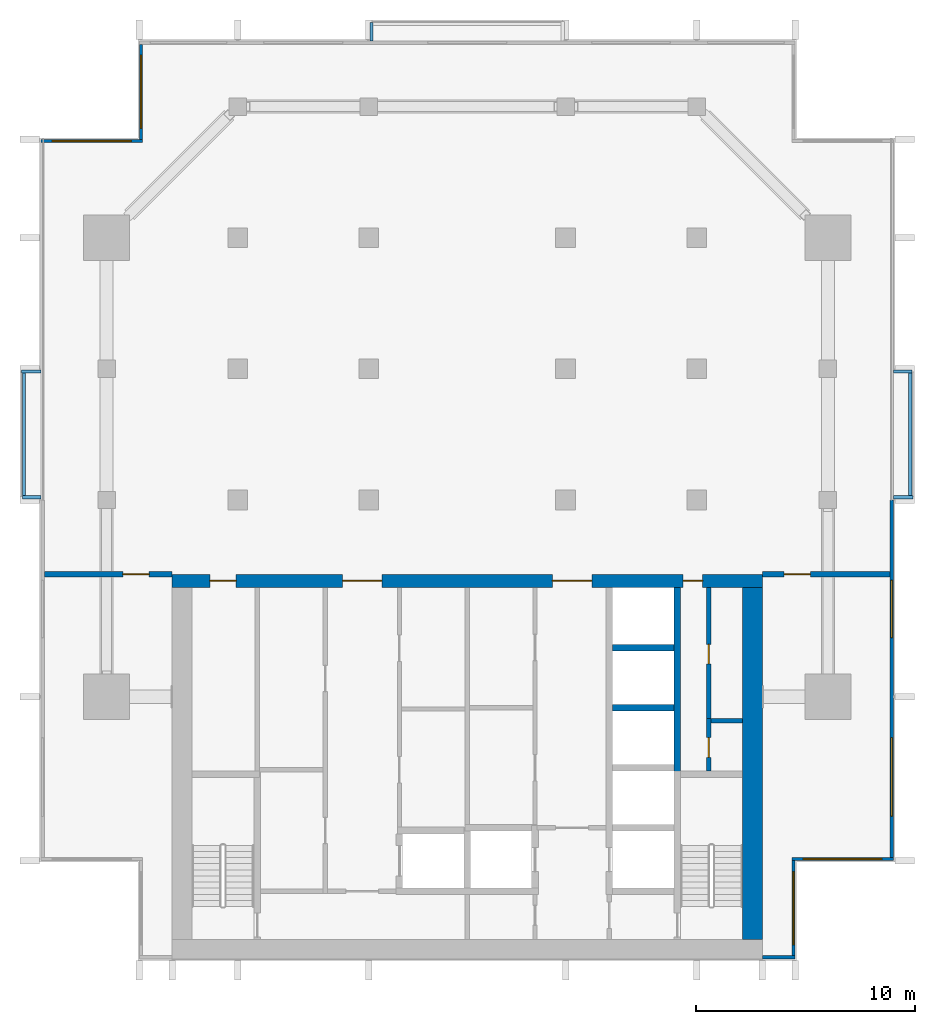
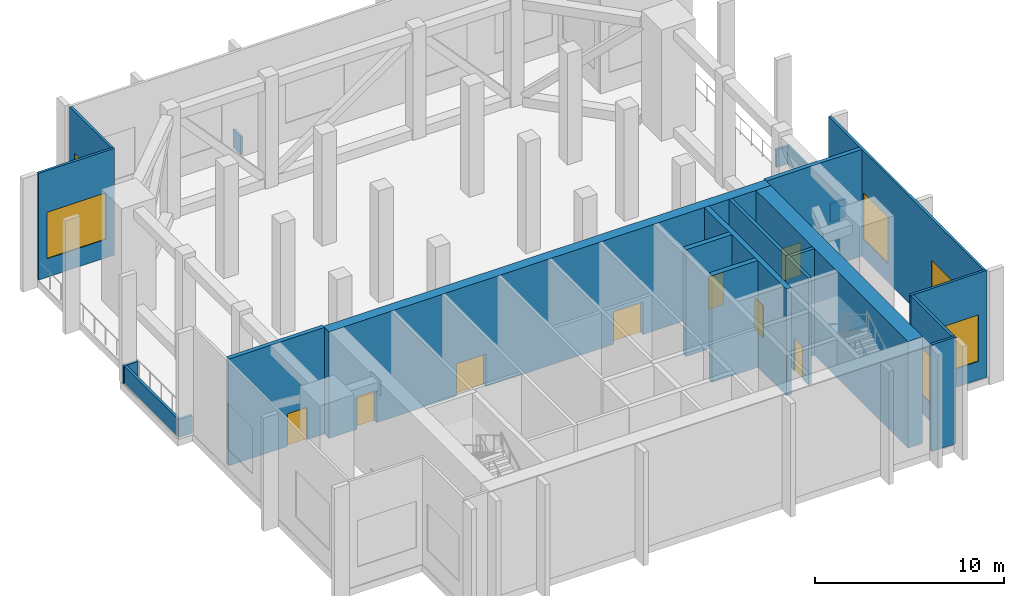
# One storey, part 3 of 9: 23 walls, 8 doors, 6 windows, 14 openings.
"""IFC4 building model written with IfcOpenShell, lengths in metres."""

from ifc_helpers import new_model, si_unit, direction, frame, frame_2d, origin, place, context, subcontext, project, spatial, rectangle, extrude, material, layer, layer_set, type_object, element, fill, save


model = new_model("IFC4")

# Units and contexts
model_context = context("Model", 3, precision=1e-05, world=origin(), true_north=direction((0.0, 1.0)))
body_context = subcontext(model_context, "Body", "Model", "MODEL_VIEW")
ifc_project = project(units=[si_unit("LENGTHUNIT", "METRE"), si_unit("AREAUNIT", "SQUARE_METRE"), si_unit("VOLUMEUNIT", "CUBIC_METRE"), si_unit("PLANEANGLEUNIT", "RADIAN"), si_unit("MASSUNIT", "GRAM", prefix="KILO")], contexts=[model_context])

# Site, building, storey
site_placement = place(None, origin())
site = spatial("IfcSite", under=ifc_project, at=site_placement, CompositionType="ELEMENT")
building_placement = place(site_placement, origin())
building = spatial("IfcBuilding", under=site, at=building_placement, Name="Finial Court Residences", CompositionType="ELEMENT")
storey_placement = place(building_placement, frame((0.0, 0.0, 248.300048828125)))
storey = spatial("IfcBuildingStorey", under=building, at=storey_placement, Name="L63", CompositionType="ELEMENT", Elevation=248.300048828125)

# Wall, openings, doors
ifc_material_1 = material(Name="Concrete C60/75", Category="concrete")
ifc_layer_1 = layer(ifc_material_1, 0.60009765625)
ifc_layer_set_1 = layer_set([ifc_layer_1], Name="Core outer wall 600 Concrete C60/75")
wall_type_1 = type_object("IfcWallType", Name="Core outer wall 600 Concrete C60/75", PredefinedType="SHEAR", material=ifc_layer_set_1)
wall_1_placement = place(storey_placement, frame((-13.5, -8.199951171875, 0.0), z_axis=(0.0, 0.0, 1.0), x_axis=(1.0, 0.0, 0.0)))
wall_1 = element("IfcWall", 1, at=wall_1_placement, inside=storey, type_object=wall_type_1, Name="Core outer wall L63-02", PredefinedType="SHEAR", context=body_context, shape_type="SweptSolid", body=[
    extrude(rectangle(XDim=27.0, YDim=0.60009765625, at=frame_2d((13.5, 0.0))), origin(), (0.0, 0.0, 1.0), 6.89990234375),
])
opening_1_placement = place(wall_1_placement, frame((7.800048828125, 0.0, 0.0)))
opening_1 = element("IfcOpeningElement", 2, at=opening_1_placement, cuts=wall_1, Name="Opening L63-C03", PredefinedType="OPENING", context=body_context, shape_type="SweptSolid", body=[
    extrude(rectangle(XDim=1.800048828125, YDim=2.10009765625, at=frame_2d((0.89990234375, 1.050048828125))), frame((0.0, 0.31005859375, 0.0), z_axis=(0.0, -1.0, 0.0), x_axis=(1.0, 0.0, 0.0)), (0.0, 0.0, 1.0), 0.6201171875),
])
opening_2_placement = place(wall_1_placement, frame((17.39990234375, 0.0, 0.0)))
opening_2 = element("IfcOpeningElement", 3, at=opening_2_placement, cuts=wall_1, Name="Opening L63-C04", PredefinedType="OPENING", context=body_context, shape_type="SweptSolid", body=[
    extrude(rectangle(XDim=1.800048828125, YDim=2.10009765625, at=frame_2d((0.89990234375, 1.050048828125))), frame((0.0, 0.31005859375, 0.0), z_axis=(0.0, -1.0, 0.0), x_axis=(1.0, 0.0, 0.0)), (0.0, 0.0, 1.0), 0.6201171875),
])
opening_3_placement = place(wall_1_placement, frame((1.72509765625, 0.0, 0.0)))
opening_3 = element("IfcOpeningElement", 4, at=opening_3_placement, cuts=wall_1, Name="Opening L63-C13", PredefinedType="OPENING", context=body_context, shape_type="SweptSolid", body=[
    extrude(rectangle(XDim=1.199951171875, YDim=2.10009765625, at=frame_2d((0.60009765625, 1.050048828125))), frame((0.0, 0.31005859375, 0.0), z_axis=(0.0, -1.0, 0.0), x_axis=(1.0, 0.0, 0.0)), (0.0, 0.0, 1.0), 0.6201171875),
])
opening_4_placement = place(wall_1_placement, frame((23.375, 0.0, 0.0)))
opening_4 = element("IfcOpeningElement", 5, at=opening_4_placement, cuts=wall_1, Name="Opening L63-C14", PredefinedType="OPENING", context=body_context, shape_type="SweptSolid", body=[
    extrude(rectangle(XDim=0.89990234375, YDim=2.10009765625, at=frame_2d((0.449951171875, 1.050048828125))), frame((0.0, 0.31005859375, 0.0), z_axis=(0.0, -1.0, 0.0), x_axis=(1.0, 0.0, 0.0)), (0.0, 0.0, 1.0), 0.6201171875),
])
ifc_material_2 = material(Name="Steel fire door", Category="steel")
door_type_1 = type_object("IfcDoorType", Name="Lift lobby door 1800 x 2100 EI 60", OperationType="DOUBLE_DOOR_SINGLE_SWING", PredefinedType="DOOR", material=ifc_material_2)
door_1_placement = place(opening_1_placement, origin())
door_1 = element("IfcDoor", 6, at=door_1_placement, inside=storey, type_object=door_type_1, Name="Lift lobby door L63-C03", OperationType="DOUBLE_DOOR_SINGLE_SWING", OverallHeight=2.10009765625, OverallWidth=1.800048828125, PredefinedType="DOOR", context=body_context, shape_type="SweptSolid", body=[
    extrude(rectangle(XDim=1.800048828125, YDim=2.10009765625, at=frame_2d((0.89990234375, 1.050048828125))), frame((0.0, 0.02490234375, 0.0), z_axis=(0.0, -1.0, 0.0), x_axis=(1.0, 0.0, 0.0)), (0.0, 0.0, 1.0), 0.050048828125),
])
fill(opening_1, door_1)
door_2_placement = place(opening_2_placement, origin())
door_2 = element("IfcDoor", 7, at=door_2_placement, inside=storey, type_object=door_type_1, Name="Lift lobby door L63-C04", OperationType="DOUBLE_DOOR_SINGLE_SWING", OverallHeight=2.10009765625, OverallWidth=1.800048828125, PredefinedType="DOOR", context=body_context, shape_type="SweptSolid", body=[
    extrude(rectangle(XDim=1.800048828125, YDim=2.10009765625, at=frame_2d((0.89990234375, 1.050048828125))), frame((0.0, 0.02490234375, 0.0), z_axis=(0.0, -1.0, 0.0), x_axis=(1.0, 0.0, 0.0)), (0.0, 0.0, 1.0), 0.050048828125),
])
fill(opening_2, door_2)
door_type_2 = type_object("IfcDoorType", Name="Riser room door 1200 x 2100 EI 90", OperationType="NOTDEFINED", PredefinedType="DOOR", material=ifc_material_2)
door_3_placement = place(opening_3_placement, origin())
door_3 = element("IfcDoor", 8, at=door_3_placement, inside=storey, type_object=door_type_2, Name="Riser room door L63-C13", OperationType="SINGLE_SWING_LEFT", OverallHeight=2.10009765625, OverallWidth=1.199951171875, PredefinedType="DOOR", context=body_context, shape_type="SweptSolid", body=[
    extrude(rectangle(XDim=1.199951171875, YDim=2.10009765625, at=frame_2d((0.60009765625, 1.050048828125))), frame((0.0, 0.02490234375, 0.0), z_axis=(0.0, -1.0, 0.0), x_axis=(1.0, 0.0, 0.0)), (0.0, 0.0, 1.0), 0.050048828125),
])
fill(opening_3, door_3)
door_type_3 = type_object("IfcDoorType", Name="Riser room door 900 x 2100 EI 90", OperationType="NOTDEFINED", PredefinedType="DOOR", material=ifc_material_2)
door_4_placement = place(opening_4_placement, origin())
door_4 = element("IfcDoor", 9, at=door_4_placement, inside=storey, type_object=door_type_3, Name="Riser room door L63-C14", OperationType="SINGLE_SWING_LEFT", OverallHeight=2.10009765625, OverallWidth=0.89990234375, PredefinedType="DOOR", context=body_context, shape_type="SweptSolid", body=[
    extrude(rectangle(XDim=0.89990234375, YDim=2.10009765625, at=frame_2d((0.449951171875, 1.050048828125))), frame((0.0, 0.02490234375, 0.0), z_axis=(0.0, -1.0, 0.0), x_axis=(1.0, 0.0, 0.0)), (0.0, 0.0, 1.0), 0.050048828125),
])
fill(opening_4, door_4)

# Walls
ifc_layer_2 = layer(ifc_material_1, 0.89990234375)
ifc_layer_set_2 = layer_set([ifc_layer_2], Name="Core outer wall 900 Concrete C60/75")
wall_type_2 = type_object("IfcWallType", Name="Core outer wall 900 Concrete C60/75", PredefinedType="SHEAR", material=ifc_layer_set_2)
wall_2_placement = place(storey_placement, frame((13.050048828125, -24.60009765625, 0.0), z_axis=(0.0, 0.0, 1.0), x_axis=(0.0, 1.0, 0.0)))
element("IfcWall", 10, at=wall_2_placement, inside=storey, type_object=wall_type_2, Name="Core outer wall L63-04", PredefinedType="SHEAR", context=body_context, shape_type="SweptSolid", body=[
    extrude(rectangle(XDim=16.10009765625, YDim=0.89990234375, at=frame_2d((8.050048828125, 0.0))), origin(), (0.0, 0.0, 1.0), 6.89990234375),
])
ifc_material_3 = material(Name="Concrete C35/45", Category="concrete")
ifc_layer_3 = layer(ifc_material_3, 0.14990234375)
ifc_layer_set_3 = layer_set([ifc_layer_3], Name="Ledge parapet, Concrete C35/45 150")
wall_type_3 = type_object("IfcWallType", Name="Ledge parapet, Concrete C35/45 150", PredefinedType="PARAPET", material=ifc_layer_set_3)
wall_3_placement = place(storey_placement, frame((-20.39990234375, 1.375, 0.0), z_axis=(0.0, 0.0, 1.0), x_axis=(1.0, 0.0, 0.0)))
element("IfcWall", 11, at=wall_3_placement, inside=storey, type_object=wall_type_3, Name="E-L63-LED1-P1", PredefinedType="PARAPET", context=body_context, shape_type="SweptSolid", body=[
    extrude(rectangle(XDim=0.889892578125, YDim=0.14990234375, at=frame_2d((0.44482421875, 0.0))), origin(), (0.0, 0.0, 1.0), 1.14990234375),
])
wall_4_placement = place(storey_placement, frame((-19.510009765625, -4.375, 0.0), z_axis=(0.0, 0.0, 1.0), x_axis=(-1.0, 0.0, 0.0)))
element("IfcWall", 12, at=wall_4_placement, inside=storey, type_object=wall_type_3, Name="E-L63-LED1-P2", PredefinedType="PARAPET", context=body_context, shape_type="SweptSolid", body=[
    extrude(rectangle(XDim=0.840087890625, YDim=0.14990234375, at=frame_2d((0.419921875, 0.0))), origin(), (0.0, 0.0, 1.0), 1.14990234375),
])
wall_5_placement = place(storey_placement, frame((-20.27490234375, -4.300048828125, 0.0), z_axis=(0.0, 0.0, 1.0), x_axis=(0.0, 1.0, 0.0)))
element("IfcWall", 13, at=wall_5_placement, inside=storey, type_object=wall_type_3, Name="E-L63-LED1-P3", PredefinedType="PARAPET", context=body_context, shape_type="SweptSolid", body=[
    extrude(rectangle(XDim=5.800048828125, YDim=0.14990234375, at=frame_2d((2.89990234375, 0.0))), origin(), (0.0, 0.0, 1.0), 1.14990234375),
])
wall_6_placement = place(storey_placement, frame((-4.375, 16.510009765625, 0.0), z_axis=(0.0, 0.0, 1.0), x_axis=(0.0, 1.0, 0.0)))
element("IfcWall", 14, at=wall_6_placement, inside=storey, type_object=wall_type_3, Name="E-L63-LED2-P2", PredefinedType="PARAPET", context=body_context, shape_type="SweptSolid", body=[
    extrude(rectangle(XDim=0.840087890625, YDim=0.14990234375, at=frame_2d((0.419921875, 0.0))), origin(), (0.0, 0.0, 1.0), 1.14990234375),
])
wall_7_placement = place(storey_placement, frame((20.39990234375, -4.375, 0.0), z_axis=(0.0, 0.0, 1.0), x_axis=(-1.0, 0.0, 0.0)))
element("IfcWall", 15, at=wall_7_placement, inside=storey, type_object=wall_type_3, Name="E-L63-LED3-P1", PredefinedType="PARAPET", context=body_context, shape_type="SweptSolid", body=[
    extrude(rectangle(XDim=0.889892578125, YDim=0.14990234375, at=frame_2d((0.44482421875, 0.0))), origin(), (0.0, 0.0, 1.0), 1.14990234375),
])
wall_8_placement = place(storey_placement, frame((19.510009765625, 1.375, 0.0), z_axis=(0.0, 0.0, 1.0), x_axis=(1.0, 0.0, 0.0)))
element("IfcWall", 16, at=wall_8_placement, inside=storey, type_object=wall_type_3, Name="E-L63-LED3-P2", PredefinedType="PARAPET", context=body_context, shape_type="SweptSolid", body=[
    extrude(rectangle(XDim=0.840087890625, YDim=0.14990234375, at=frame_2d((0.419921875, 0.0))), origin(), (0.0, 0.0, 1.0), 1.14990234375),
])
wall_9_placement = place(storey_placement, frame((20.27490234375, 1.300048828125, 0.0), z_axis=(0.0, 0.0, 1.0), x_axis=(0.0, -1.0, 0.0)))
element("IfcWall", 17, at=wall_9_placement, inside=storey, type_object=wall_type_3, Name="E-L63-LED3-P3", PredefinedType="PARAPET", context=body_context, shape_type="SweptSolid", body=[
    extrude(rectangle(XDim=5.800048828125, YDim=0.14990234375, at=frame_2d((2.89990234375, 0.0))), origin(), (0.0, 0.0, 1.0), 1.14990234375),
])
ifc_layer_4 = layer(ifc_material_1, 0.300048828125)
ifc_layer_set_4 = layer_set([ifc_layer_4], Name="Lift shaft and stair wall 300 Concrete C60/75")
wall_type_4 = type_object("IfcWallType", Name="Lift shaft and stair wall 300 Concrete C60/75", PredefinedType="SHEAR", material=ifc_layer_set_4)
for number, where, z_axis, x_axis, name in (
    (18, (6.64990234375, -14.0, 0.0), (0.0, 0.0, 1.0), (1.0, 0.0, 0.0), "Core wall L63-16"),
    (19, (6.64990234375, -11.25, 0.0), (0.0, 0.0, 1.0), (1.0, 0.0, 0.0), "Core wall L63-17"),
):
    element("IfcWall", number, at=place(storey_placement, frame(where, z_axis=z_axis, x_axis=x_axis)), inside=storey, type_object=wall_type_4, Name=name, PredefinedType="SHEAR", context=body_context, shape_type="SweptSolid", body=[
        extrude(rectangle(XDim=2.800048828125, YDim=0.300048828125, at=frame_2d((1.39990234375, 0.0))), origin(), (0.0, 0.0, 1.0), 6.89990234375),
    ])
wall_10_placement = place(storey_placement, frame((9.60009765625, -17.199951171875, 0.0), z_axis=(0.0, 0.0, 1.0), x_axis=(0.0, 1.0, 0.0)))
element("IfcWall", 20, at=wall_10_placement, inside=storey, type_object=wall_type_4, Name="Core wall L63-32", PredefinedType="SHEAR", context=body_context, shape_type="SweptSolid", body=[
    extrude(rectangle(XDim=8.699951171875, YDim=0.300048828125, at=frame_2d((4.35009765625, 0.0))), origin(), (0.0, 0.0, 1.0), 6.89990234375),
])

# Wall, opening, door
ifc_material_4 = material(Name="Fire-rated board")
ifc_layer_5 = layer(ifc_material_4, 0.050048828125)
ifc_material_5 = material(Name="Mineral wool in double frame")
ifc_layer_6 = layer(ifc_material_5, 0.14990234375)
ifc_layer_7 = layer(ifc_material_4, 0.050048828125)
ifc_layer_set_5 = layer_set([ifc_layer_5, ifc_layer_6, ifc_layer_7], Name="Plant room wall 250, 2 hour")
wall_type_5 = type_object("IfcWallType", Name="Plant room wall 250, 2 hour", PredefinedType="PARTITIONING", material=ifc_layer_set_5)
wall_11_placement = place(storey_placement, frame((-19.35009765625, -7.89990234375, 0.0), z_axis=(0.0, 0.0, 1.0), x_axis=(1.0, 0.0, 0.0)))
wall_11 = element("IfcWall", 21, at=wall_11_placement, inside=storey, type_object=wall_type_5, Name="Partition L63-000", PredefinedType="PARTITIONING", context=body_context, shape_type="SweptSolid", body=[
    extrude(rectangle(XDim=5.85009765625, YDim=0.25, at=frame_2d((2.925048828125, 0.0))), origin(), (0.0, 0.0, 1.0), 6.89990234375),
])
opening_5_placement = place(wall_11_placement, frame((3.60009765625, 0.0, 0.0)))
opening_5 = element("IfcOpeningElement", 22, at=opening_5_placement, cuts=wall_11, Name="Opening L63-D001", PredefinedType="OPENING", context=body_context, shape_type="SweptSolid", body=[
    extrude(rectangle(XDim=1.199951171875, YDim=2.10009765625, at=frame_2d((0.60009765625, 1.050048828125))), frame((0.0, 0.135009765625, 0.0), z_axis=(0.0, -1.0, 0.0), x_axis=(1.0, 0.0, 0.0)), (0.0, 0.0, 1.0), 0.27001953125),
])
ifc_material_6 = material(Name="Timber door leaf in hollow metal frame", Category="wood")
door_type_4 = type_object("IfcDoorType", Name="Fire door set 1200 x 2100, 60 minutes", OperationType="SINGLE_SWING_LEFT", PredefinedType="DOOR", material=ifc_material_6)
door_5_placement = place(opening_5_placement, origin())
door_5 = element("IfcDoor", 23, at=door_5_placement, inside=storey, type_object=door_type_4, Name="Door L63-D001", OperationType="SINGLE_SWING_RIGHT", OverallHeight=2.10009765625, OverallWidth=1.199951171875, PredefinedType="DOOR", context=body_context, shape_type="SweptSolid", body=[
    extrude(rectangle(XDim=1.199951171875, YDim=2.10009765625, at=frame_2d((0.60009765625, 1.050048828125))), frame((0.0, 0.02490234375, 0.0), z_axis=(0.0, -1.0, 0.0), x_axis=(1.0, 0.0, 0.0)), (0.0, 0.0, 1.0), 0.050048828125),
])
fill(opening_5, door_5)

wall_12_placement = place(storey_placement, frame((13.5, -7.89990234375, 0.0), z_axis=(0.0, 0.0, 1.0), x_axis=(1.0, 0.0, 0.0)))
wall_12 = element("IfcWall", 24, at=wall_12_placement, inside=storey, type_object=wall_type_5, Name="Partition L63-001", PredefinedType="PARTITIONING", context=body_context, shape_type="SweptSolid", body=[
    extrude(rectangle(XDim=5.85009765625, YDim=0.25, at=frame_2d((2.925048828125, 0.0))), origin(), (0.0, 0.0, 1.0), 6.89990234375),
])
opening_6_placement = place(wall_12_placement, frame((1.0, 0.0, 0.0)))
opening_6 = element("IfcOpeningElement", 25, at=opening_6_placement, cuts=wall_12, Name="Opening L63-D002", PredefinedType="OPENING", context=body_context, shape_type="SweptSolid", body=[
    extrude(rectangle(XDim=1.199951171875, YDim=2.10009765625, at=frame_2d((0.60009765625, 1.050048828125))), frame((0.0, 0.135009765625, 0.0), z_axis=(0.0, -1.0, 0.0), x_axis=(1.0, 0.0, 0.0)), (0.0, 0.0, 1.0), 0.27001953125),
])
door_6_placement = place(opening_6_placement, origin())
door_6 = element("IfcDoor", 26, at=door_6_placement, inside=storey, type_object=door_type_4, Name="Door L63-D002", OperationType="SINGLE_SWING_LEFT", OverallHeight=2.10009765625, OverallWidth=1.199951171875, PredefinedType="DOOR", context=body_context, shape_type="SweptSolid", body=[
    extrude(rectangle(XDim=1.199951171875, YDim=2.10009765625, at=frame_2d((0.60009765625, 1.050048828125))), frame((0.0, 0.02490234375, 0.0), z_axis=(0.0, -1.0, 0.0), x_axis=(1.0, 0.0, 0.0)), (0.0, 0.0, 1.0), 0.050048828125),
])
fill(opening_6, door_6)

# Wall, openings, windows
ifc_material_7 = material(Name="Natural limestone", Category="masonry")
ifc_layer_8 = layer(ifc_material_7, 0.14990234375)
ifc_layer_set_6 = layer_set([ifc_layer_8], Name="Plant storey wall, limestone clad 150")
wall_type_6 = type_object("IfcWallType", Name="Plant storey wall, limestone clad 150", PredefinedType="SOLIDWALL", material=ifc_layer_set_6)
wall_13_placement = place(storey_placement, frame((19.425048828125, -4.5, 0.0), z_axis=(0.0, 0.0, 1.0), x_axis=(0.0, -1.0, 0.0)))
wall_13 = element("IfcWall", 27, at=wall_13_placement, inside=storey, type_object=wall_type_6, Name="E-L63-PWE2", PredefinedType="SOLIDWALL", context=body_context, shape_type="SweptSolid", body=[
    extrude(rectangle(XDim=16.35009765625, YDim=0.14990234375, at=frame_2d((8.175048828125, 0.0))), origin(), (0.0, 0.0, 1.0), 6.89990234375),
])
opening_7_placement = place(wall_13_placement, frame((10.875, 0.0, 1.199951171875)))
opening_7 = element("IfcOpeningElement", 28, at=opening_7_placement, cuts=wall_13, Name="Opening WE63-06", PredefinedType="OPENING", context=body_context, shape_type="SweptSolid", body=[
    extrude(rectangle(XDim=3.60009765625, YDim=3.0, at=frame_2d((1.800048828125, 1.5))), frame((0.0, 0.0849609375, 0.0), z_axis=(0.0, -1.0, 0.0), x_axis=(1.0, 0.0, 0.0)), (0.0, 0.0, 1.0), 0.169921875),
])
opening_8_placement = place(wall_13_placement, frame((3.675048828125, 0.0, 1.199951171875)))
opening_8 = element("IfcOpeningElement", 29, at=opening_8_placement, cuts=wall_13, Name="Opening WE63-07", PredefinedType="OPENING", context=body_context, shape_type="SweptSolid", body=[
    extrude(rectangle(XDim=2.625, YDim=3.0, at=frame_2d((1.3125, 1.5))), frame((0.0, 0.0849609375, 0.0), z_axis=(0.0, -1.0, 0.0), x_axis=(1.0, 0.0, 0.0)), (0.0, 0.0, 1.0), 0.169921875),
])
ifc_material_8 = material(Name="Bronze anodised aluminium", Category="aluminium")
window_type_1 = type_object("IfcWindowType", Name="Plant louvre 2625 x 3000", PartitioningType="SINGLE_PANEL", PredefinedType="WINDOW", material=ifc_material_8)
window_1_placement = place(opening_8_placement, origin())
window_1 = element("IfcWindow", 30, at=window_1_placement, inside=storey, type_object=window_type_1, Name="E-L63-PWE2-W2", OverallHeight=3.0, OverallWidth=2.625, PartitioningType="SINGLE_PANEL", PredefinedType="WINDOW", context=body_context, shape_type="SweptSolid", body=[
    extrude(rectangle(XDim=2.625, YDim=3.0, at=frame_2d((1.3125, 1.5))), frame((0.0, 0.030029296875, 0.0), z_axis=(0.0, -1.0, 0.0), x_axis=(1.0, 0.0, 0.0)), (0.0, 0.0, 1.0), 0.06005859375),
])
fill(opening_8, window_1)
window_type_2 = type_object("IfcWindowType", Name="Plant louvre 3600 x 3000", PartitioningType="SINGLE_PANEL", PredefinedType="WINDOW", material=ifc_material_8)
window_2_placement = place(opening_7_placement, origin())
window_2 = element("IfcWindow", 31, at=window_2_placement, inside=storey, type_object=window_type_2, Name="E-L63-PWE2-W1", OverallHeight=3.0, OverallWidth=3.60009765625, PartitioningType="SINGLE_PANEL", PredefinedType="WINDOW", context=body_context, shape_type="SweptSolid", body=[
    extrude(rectangle(XDim=3.60009765625, YDim=3.0, at=frame_2d((1.800048828125, 1.5))), frame((0.0, 0.030029296875, 0.0), z_axis=(0.0, -1.0, 0.0), x_axis=(1.0, 0.0, 0.0)), (0.0, 0.0, 1.0), 0.06005859375),
])
fill(opening_7, window_2)

# Wall
wall_14_placement = place(storey_placement, frame((15.0, -25.425048828125, 0.0), z_axis=(0.0, 0.0, 1.0), x_axis=(-1.0, 0.0, 0.0)))
element("IfcWall", 32, at=wall_14_placement, inside=storey, type_object=wall_type_6, Name="E-L63-PWS4", PredefinedType="SOLIDWALL", context=body_context, shape_type="SweptSolid", body=[
    extrude(rectangle(XDim=1.5, YDim=0.14990234375, at=frame_2d((0.75, 0.0))), origin(), (0.0, 0.0, 1.0), 6.89990234375),
])

# Wall, opening, window
wall_15_placement = place(storey_placement, frame((14.925048828125, -21.0, 0.0), z_axis=(0.0, 0.0, 1.0), x_axis=(0.0, -1.0, 0.0)))
wall_15 = element("IfcWall", 33, at=wall_15_placement, inside=storey, type_object=wall_type_6, Name="E-L63-PWE8", PredefinedType="SOLIDWALL", context=body_context, shape_type="SweptSolid", body=[
    extrude(rectangle(XDim=4.35009765625, YDim=0.14990234375, at=frame_2d((2.175048828125, 0.0))), origin(), (0.0, 0.0, 1.0), 6.89990234375),
])
opening_9_placement = place(wall_15_placement, frame((0.5, 0.0, 1.199951171875)))
opening_9 = element("IfcOpeningElement", 34, at=opening_9_placement, cuts=wall_15, Name="Opening WE63-12", PredefinedType="OPENING", context=body_context, shape_type="SweptSolid", body=[
    extrude(rectangle(XDim=3.35009765625, YDim=3.0, at=frame_2d((1.675048828125, 1.5))), frame((0.0, 0.0849609375, 0.0), z_axis=(0.0, -1.0, 0.0), x_axis=(1.0, 0.0, 0.0)), (0.0, 0.0, 1.0), 0.169921875),
])
window_type_3 = type_object("IfcWindowType", Name="Plant louvre 3350 x 3000", PartitioningType="SINGLE_PANEL", PredefinedType="WINDOW", material=ifc_material_8)
window_3_placement = place(opening_9_placement, origin())
window_3 = element("IfcWindow", 35, at=window_3_placement, inside=storey, type_object=window_type_3, Name="E-L63-PWE8-W1", OverallHeight=3.0, OverallWidth=3.35009765625, PartitioningType="SINGLE_PANEL", PredefinedType="WINDOW", context=body_context, shape_type="SweptSolid", body=[
    extrude(rectangle(XDim=3.35009765625, YDim=3.0, at=frame_2d((1.675048828125, 1.5))), frame((0.0, 0.030029296875, 0.0), z_axis=(0.0, -1.0, 0.0), x_axis=(1.0, 0.0, 0.0)), (0.0, 0.0, 1.0), 0.06005859375),
])
fill(opening_9, window_3)

wall_16_placement = place(storey_placement, frame((19.5, -20.925048828125, 0.0), z_axis=(0.0, 0.0, 1.0), x_axis=(-1.0, 0.0, 0.0)))
wall_16 = element("IfcWall", 36, at=wall_16_placement, inside=storey, type_object=wall_type_6, Name="E-L63-PWS9", PredefinedType="SOLIDWALL", context=body_context, shape_type="SweptSolid", body=[
    extrude(rectangle(XDim=4.64990234375, YDim=0.14990234375, at=frame_2d((2.324951171875, 0.0))), origin(), (0.0, 0.0, 1.0), 6.89990234375),
])
opening_10_placement = place(wall_16_placement, frame((0.52490234375, 0.0, 1.199951171875)))
opening_10 = element("IfcOpeningElement", 37, at=opening_10_placement, cuts=wall_16, Name="Opening WE63-13", PredefinedType="OPENING", context=body_context, shape_type="SweptSolid", body=[
    extrude(rectangle(XDim=3.60009765625, YDim=3.0, at=frame_2d((1.800048828125, 1.5))), frame((0.0, 0.0849609375, 0.0), z_axis=(0.0, -1.0, 0.0), x_axis=(1.0, 0.0, 0.0)), (0.0, 0.0, 1.0), 0.169921875),
])
window_4_placement = place(opening_10_placement, origin())
window_4 = element("IfcWindow", 38, at=window_4_placement, inside=storey, type_object=window_type_2, Name="E-L63-PWS9-W1", OverallHeight=3.0, OverallWidth=3.60009765625, PartitioningType="SINGLE_PANEL", PredefinedType="WINDOW", context=body_context, shape_type="SweptSolid", body=[
    extrude(rectangle(XDim=3.60009765625, YDim=3.0, at=frame_2d((1.800048828125, 1.5))), frame((0.0, 0.030029296875, 0.0), z_axis=(0.0, -1.0, 0.0), x_axis=(1.0, 0.0, 0.0)), (0.0, 0.0, 1.0), 0.06005859375),
])
fill(opening_10, window_4)

wall_17_placement = place(storey_placement, frame((-14.925048828125, 12.0, 0.0), z_axis=(0.0, 0.0, 1.0), x_axis=(0.0, 1.0, 0.0)))
wall_17 = element("IfcWall", 39, at=wall_17_placement, inside=storey, type_object=wall_type_6, Name="E-L63-PWW10", PredefinedType="SOLIDWALL", context=body_context, shape_type="SweptSolid", body=[
    extrude(rectangle(XDim=4.35009765625, YDim=0.14990234375, at=frame_2d((2.175048828125, 0.0))), origin(), (0.0, 0.0, 1.0), 6.89990234375),
])
opening_11_placement = place(wall_17_placement, frame((0.5, 0.0, 1.199951171875)))
opening_11 = element("IfcOpeningElement", 40, at=opening_11_placement, cuts=wall_17, Name="Opening WE63-14", PredefinedType="OPENING", context=body_context, shape_type="SweptSolid", body=[
    extrude(rectangle(XDim=3.35009765625, YDim=3.0, at=frame_2d((1.675048828125, 1.5))), frame((0.0, 0.0849609375, 0.0), z_axis=(0.0, -1.0, 0.0), x_axis=(1.0, 0.0, 0.0)), (0.0, 0.0, 1.0), 0.169921875),
])
window_5_placement = place(opening_11_placement, origin())
window_5 = element("IfcWindow", 41, at=window_5_placement, inside=storey, type_object=window_type_3, Name="E-L63-PWW10-W1", OverallHeight=3.0, OverallWidth=3.35009765625, PartitioningType="SINGLE_PANEL", PredefinedType="WINDOW", context=body_context, shape_type="SweptSolid", body=[
    extrude(rectangle(XDim=3.35009765625, YDim=3.0, at=frame_2d((1.675048828125, 1.5))), frame((0.0, 0.030029296875, 0.0), z_axis=(0.0, -1.0, 0.0), x_axis=(1.0, 0.0, 0.0)), (0.0, 0.0, 1.0), 0.06005859375),
])
fill(opening_11, window_5)

wall_18_placement = place(storey_placement, frame((-19.5, 11.925048828125, 0.0), z_axis=(0.0, 0.0, 1.0), x_axis=(1.0, 0.0, 0.0)))
wall_18 = element("IfcWall", 42, at=wall_18_placement, inside=storey, type_object=wall_type_6, Name="E-L63-PWN11", PredefinedType="SOLIDWALL", context=body_context, shape_type="SweptSolid", body=[
    extrude(rectangle(XDim=4.64990234375, YDim=0.14990234375, at=frame_2d((2.324951171875, 0.0))), origin(), (0.0, 0.0, 1.0), 6.89990234375),
])
opening_12_placement = place(wall_18_placement, frame((0.52490234375, 0.0, 1.199951171875)))
opening_12 = element("IfcOpeningElement", 43, at=opening_12_placement, cuts=wall_18, Name="Opening WE63-15", PredefinedType="OPENING", context=body_context, shape_type="SweptSolid", body=[
    extrude(rectangle(XDim=3.60009765625, YDim=3.0, at=frame_2d((1.800048828125, 1.5))), frame((0.0, 0.0849609375, 0.0), z_axis=(0.0, -1.0, 0.0), x_axis=(1.0, 0.0, 0.0)), (0.0, 0.0, 1.0), 0.169921875),
])
window_6_placement = place(opening_12_placement, origin())
window_6 = element("IfcWindow", 44, at=window_6_placement, inside=storey, type_object=window_type_2, Name="E-L63-PWN11-W1", OverallHeight=3.0, OverallWidth=3.60009765625, PartitioningType="SINGLE_PANEL", PredefinedType="WINDOW", context=body_context, shape_type="SweptSolid", body=[
    extrude(rectangle(XDim=3.60009765625, YDim=3.0, at=frame_2d((1.800048828125, 1.5))), frame((0.0, 0.030029296875, 0.0), z_axis=(0.0, -1.0, 0.0), x_axis=(1.0, 0.0, 0.0)), (0.0, 0.0, 1.0), 0.06005859375),
])
fill(opening_12, window_6)

# Wall
ifc_material_9 = material(Name="Fire-rated gypsum board partition")
ifc_layer_9 = layer(ifc_material_9, 0.199951171875)
ifc_layer_set_7 = layer_set([ifc_layer_9], Name="Riser room wall 200 EI 120")
wall_type_7 = type_object("IfcWallType", Name="Riser room wall 200 EI 120", PredefinedType="PARTITIONING", material=ifc_layer_set_7)
wall_19_placement = place(storey_placement, frame((11.14990234375, -14.60009765625, 0.0), z_axis=(0.0, 0.0, 1.0), x_axis=(1.0, 0.0, 0.0)))
element("IfcWall", 45, at=wall_19_placement, inside=storey, type_object=wall_type_7, Name="Core partition L63-13", PredefinedType="PARTITIONING", context=body_context, shape_type="SweptSolid", body=[
    extrude(rectangle(XDim=1.4501953125, YDim=0.199951171875, at=frame_2d((0.72509765625, 0.0))), origin(), (0.0, 0.0, 1.0), 6.89990234375),
])

# Wall, opening, door
wall_20_placement = place(storey_placement, frame((11.050048828125, -8.5, 0.0), z_axis=(0.0, 0.0, 1.0), x_axis=(0.0, -1.0, 0.0)))
wall_20 = element("IfcWall", 46, at=wall_20_placement, inside=storey, type_object=wall_type_7, Name="Core partition L63-34", PredefinedType="PARTITIONING", context=body_context, shape_type="SweptSolid", body=[
    extrude(rectangle(XDim=6.199951171875, YDim=0.199951171875, at=frame_2d((3.10009765625, 0.0))), origin(), (0.0, 0.0, 1.0), 6.89990234375),
])
opening_13_placement = place(wall_20_placement, frame((2.60009765625, 0.0, 0.0)))
opening_13 = element("IfcOpeningElement", 47, at=opening_13_placement, cuts=wall_20, Name="Opening L63-C06", PredefinedType="OPENING", context=body_context, shape_type="SweptSolid", body=[
    extrude(rectangle(XDim=0.89990234375, YDim=2.10009765625, at=frame_2d((0.449951171875, 1.050048828125))), frame((0.0, 0.10986328125, 0.0), z_axis=(0.0, -1.0, 0.0), x_axis=(1.0, 0.0, 0.0)), (0.0, 0.0, 1.0), 0.219970703125),
])
door_7_placement = place(opening_13_placement, origin())
door_7 = element("IfcDoor", 48, at=door_7_placement, inside=storey, type_object=door_type_3, Name="Riser room door L63-C06", OperationType="SINGLE_SWING_RIGHT", OverallHeight=2.10009765625, OverallWidth=0.89990234375, PredefinedType="DOOR", context=body_context, shape_type="SweptSolid", body=[
    extrude(rectangle(XDim=0.89990234375, YDim=2.10009765625, at=frame_2d((0.449951171875, 1.050048828125))), frame((0.0, 0.02490234375, 0.0), z_axis=(0.0, -1.0, 0.0), x_axis=(1.0, 0.0, 0.0)), (0.0, 0.0, 1.0), 0.050048828125),
])
fill(opening_13, door_7)

ifc_layer_10 = layer(ifc_material_9, 0.199951171875)
ifc_layer_set_8 = layer_set([ifc_layer_10], Name="Stair passage wall 200 EI 180")
wall_type_8 = type_object("IfcWallType", Name="Stair passage wall 200 EI 180", PredefinedType="PARTITIONING", material=ifc_layer_set_8)
wall_21_placement = place(storey_placement, frame((11.050048828125, -14.5, 0.0), z_axis=(0.0, 0.0, 1.0), x_axis=(0.0, -1.0, 0.0)))
wall_21 = element("IfcWall", 49, at=wall_21_placement, inside=storey, type_object=wall_type_8, Name="Core partition L63-33", PredefinedType="PARTITIONING", context=body_context, shape_type="SweptSolid", body=[
    extrude(rectangle(XDim=2.39990234375, YDim=0.199951171875, at=frame_2d((1.199951171875, 0.0))), origin(), (0.0, 0.0, 1.0), 6.89990234375),
])
opening_14_placement = place(wall_21_placement, frame((0.875, 0.0, 0.0)))
opening_14 = element("IfcOpeningElement", 50, at=opening_14_placement, cuts=wall_21, Name="Opening L63-C16", PredefinedType="OPENING", context=body_context, shape_type="SweptSolid", body=[
    extrude(rectangle(XDim=0.89990234375, YDim=2.10009765625, at=frame_2d((0.449951171875, 1.050048828125))), frame((0.0, 0.10986328125, 0.0), z_axis=(0.0, -1.0, 0.0), x_axis=(1.0, 0.0, 0.0)), (0.0, 0.0, 1.0), 0.219970703125),
])
door_type_5 = type_object("IfcDoorType", Name="Core room door 900 x 2100 EI 60", OperationType="NOTDEFINED", PredefinedType="DOOR", material=ifc_material_2)
door_8_placement = place(opening_14_placement, origin())
door_8 = element("IfcDoor", 51, at=door_8_placement, inside=storey, type_object=door_type_5, Name="Core room door L63-C16", OperationType="SINGLE_SWING_LEFT", OverallHeight=2.10009765625, OverallWidth=0.89990234375, PredefinedType="DOOR", context=body_context, shape_type="SweptSolid", body=[
    extrude(rectangle(XDim=0.89990234375, YDim=2.10009765625, at=frame_2d((0.449951171875, 1.050048828125))), frame((0.0, 0.02490234375, 0.0), z_axis=(0.0, -1.0, 0.0), x_axis=(1.0, 0.0, 0.0)), (0.0, 0.0, 1.0), 0.050048828125),
])
fill(opening_14, door_8)

save(model, "model.ifc")
